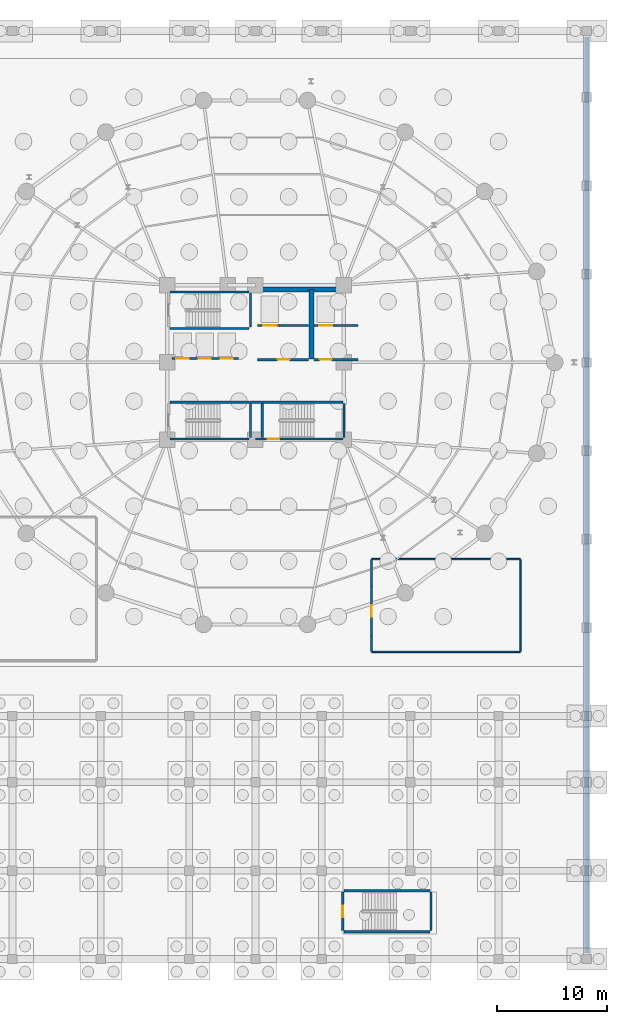
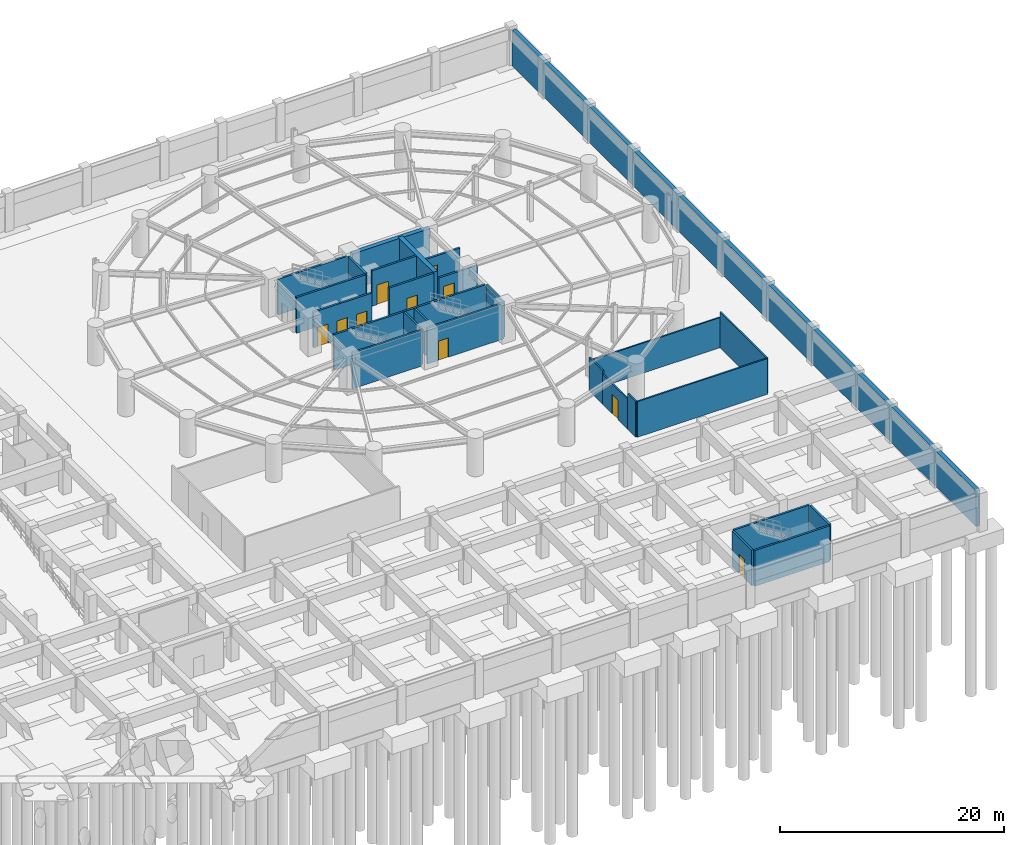
# One storey, part 15 of 23: 28 walls, 10 doors, 10 openings.
"""IFC4 building model written with IfcOpenShell, lengths in metres."""

from ifc_helpers import new_model, si_unit, direction, frame, frame_2d, origin, place, context, subcontext, project, spatial, rectangle, extrude, material, layer, layer_set, type_object, element, fill, save


model = new_model("IFC4")

# Units and contexts
model_context = context("Model", 3, precision=1e-05, world=origin(), true_north=direction((0.0, 1.0)))
body_context = subcontext(model_context, "Body", "Model", "MODEL_VIEW")
ifc_project = project(units=[si_unit("LENGTHUNIT", "METRE"), si_unit("AREAUNIT", "SQUARE_METRE"), si_unit("VOLUMEUNIT", "CUBIC_METRE"), si_unit("PLANEANGLEUNIT", "RADIAN"), si_unit("MASSUNIT", "GRAM", prefix="KILO")], contexts=[model_context])

# Site, building, storey
site_placement = place(None, origin())
site = spatial("IfcSite", under=ifc_project, at=site_placement, CompositionType="ELEMENT")
building_placement = place(site_placement, origin())
building = spatial("IfcBuilding", under=site, at=building_placement, Name="Kelanora Arch Commons", CompositionType="ELEMENT")
storey_placement = place(building_placement, frame((0.0, 0.0, -8.39990234375)))
storey = spatial("IfcBuildingStorey", under=building, at=storey_placement, Name="B02", CompositionType="ELEMENT", Elevation=-8.39990234375)

# Wall
ifc_material_1 = material(Name="Concrete C45/55 waterproofed retaining wall", Category="concrete")
ifc_layer_1 = layer(ifc_material_1, 0.39990234375)
ifc_layer_set_1 = layer_set([ifc_layer_1], Name="Concrete C45/55 waterproofed retaining wall")
wall_type_1 = type_object("IfcWallType", Name="W-BSMT-RET", PredefinedType="USERDEFINED", material=ifc_layer_set_1)
wall_1_placement = place(storey_placement, frame((104.0, 4.550048828125, 0.0), z_axis=(0.0, 0.0, 1.0), x_axis=(0.0, 1.0, 0.0)))
element("IfcWall", 1, at=wall_1_placement, inside=storey, type_object=wall_type_1, Name="Basement Retaining Wall B02-2", ObjectType="RETAININGWALL", PredefinedType="USERDEFINED", context=body_context, shape_type="SweptSolid", body=[
    extrude(rectangle(XDim=82.89990234375, YDim=0.39990234375, at=frame_2d((41.449951171875, 0.0))), origin(), (0.0, 0.0, 1.0), 3.89990234375),
])

# Wall, opening, door
ifc_material_2 = material(Name="Autoclaved aerated concrete blockwork with fire plaster", Category="masonry")
ifc_layer_2 = layer(ifc_material_2, 0.14990234375)
ifc_layer_set_2 = layer_set([ifc_layer_2], Name="Autoclaved aerated concrete blockwork with fire plaster")
wall_type_2 = type_object("IfcWallType", Name="W-COMP-150", PredefinedType="PARTITIONING", material=ifc_layer_set_2)
wall_2_placement = place(storey_placement, frame((84.5, 33.260009765625, 0.0), z_axis=(0.0, 0.0, 1.0), x_axis=(0.0, 1.0, 0.0)))
wall_2 = element("IfcWall", 2, at=wall_2_placement, inside=storey, type_object=wall_type_2, Name="HV Substation and Emergency Generator Hall B02 Entry Partition", PredefinedType="PARTITIONING", context=body_context, shape_type="SweptSolid", body=[
    extrude(rectangle(XDim=4.47998046875, YDim=0.14990234375, at=frame_2d((2.239990234375, 0.0))), origin(), (0.0, 0.0, 1.0), 3.284912109375),
])
opening_1_placement = place(wall_2_placement, frame((1.699951171875, 0.0, 0.0)))
opening_1 = element("IfcOpeningElement", 3, at=opening_1_placement, cuts=wall_2, Name="Opening D-PLT1", PredefinedType="OPENING", context=body_context, shape_type="SweptSolid", body=[
    extrude(rectangle(XDim=1.080078125, YDim=2.10009765625, at=frame_2d((0.5400390625, 1.050048828125))), frame((0.0, 0.0849609375, 0.0), z_axis=(0.0, -1.0, 0.0), x_axis=(1.0, 0.0, 0.0)), (0.0, 0.0, 1.0), 0.169921875),
])
ifc_material_3 = material(Name="Galvanised steel plant and riser fire door", Category="steel")
door_type_1 = type_object("IfcDoorType", Name="D-PLT-110", OperationType="NOTDEFINED", PredefinedType="DOOR", material=ifc_material_3)
door_1_placement = place(opening_1_placement, origin())
door_1 = element("IfcDoor", 4, at=door_1_placement, inside=storey, type_object=door_type_1, Name="HV Substation and Emergency Generator Hall B02 Door", OperationType="SINGLE_SWING_RIGHT", OverallHeight=2.10009765625, OverallWidth=1.080078125, PredefinedType="DOOR", context=body_context, shape_type="SweptSolid", body=[
    extrude(rectangle(XDim=1.080078125, YDim=2.10009765625, at=frame_2d((0.5400390625, 1.050048828125))), frame((0.0, 0.02490234375, 0.0), z_axis=(0.0, -1.0, 0.0), x_axis=(1.0, 0.0, 0.0)), (0.0, 0.0, 1.0), 0.050048828125),
])
fill(opening_1, door_1)

# Walls
wall_3_placement = place(storey_placement, frame((84.5400390625, 31.800048828125, 0.0), z_axis=(0.0, 0.0, 1.0), x_axis=(1.0, 0.0, 0.0)))
element("IfcWall", 5, at=wall_3_placement, inside=storey, type_object=wall_type_2, Name="HV Substation and Emergency Generator Hall B02 Enclosure Partition 1", PredefinedType="PARTITIONING", context=body_context, shape_type="SweptSolid", body=[
    extrude(rectangle(XDim=13.419921875, YDim=0.14990234375, at=frame_2d((6.7099609375, 0.0))), origin(), (0.0, 0.0, 1.0), 3.889892578125),
])
wall_4_placement = place(storey_placement, frame((98.0, 31.840087890625, 0.0), z_axis=(0.0, 0.0, 1.0), x_axis=(0.0, 1.0, 0.0)))
element("IfcWall", 6, at=wall_4_placement, inside=storey, type_object=wall_type_2, Name="HV Substation and Emergency Generator Hall B02 Enclosure Partition 2", PredefinedType="PARTITIONING", context=body_context, shape_type="SweptSolid", body=[
    extrude(rectangle(XDim=8.31982421875, YDim=0.14990234375, at=frame_2d((4.159912109375, 0.0))), origin(), (0.0, 0.0, 1.0), 3.889892578125),
])
wall_5_placement = place(storey_placement, frame((97.9599609375, 40.199951171875, 0.0), z_axis=(0.0, 0.0, 1.0), x_axis=(-1.0, 0.0, 0.0)))
element("IfcWall", 7, at=wall_5_placement, inside=storey, type_object=wall_type_2, Name="HV Substation and Emergency Generator Hall B02 Enclosure Partition 3", PredefinedType="PARTITIONING", context=body_context, shape_type="SweptSolid", body=[
    extrude(rectangle(XDim=13.419921875, YDim=0.14990234375, at=frame_2d((6.7099609375, 0.0))), origin(), (0.0, 0.0, 1.0), 3.284912109375),
])
wall_6_placement = place(storey_placement, frame((84.5, 40.159912109375, 0.0), z_axis=(0.0, 0.0, 1.0), x_axis=(0.0, -1.0, 0.0)))
element("IfcWall", 8, at=wall_6_placement, inside=storey, type_object=wall_type_2, Name="HV Substation and Emergency Generator Hall B02 Enclosure Partition 4", PredefinedType="PARTITIONING", context=body_context, shape_type="SweptSolid", body=[
    extrude(rectangle(XDim=2.419921875, YDim=0.14990234375, at=frame_2d((1.2099609375, 0.0))), origin(), (0.0, 0.0, 1.0), 3.64501953125),
])
wall_7_placement = place(storey_placement, frame((84.5, 33.260009765625, 0.0), z_axis=(0.0, 0.0, 1.0), x_axis=(0.0, -1.0, 0.0)))
element("IfcWall", 9, at=wall_7_placement, inside=storey, type_object=wall_type_2, Name="HV Substation and Emergency Generator Hall B02 Enclosure Partition 4", PredefinedType="PARTITIONING", context=body_context, shape_type="SweptSolid", body=[
    extrude(rectangle(XDim=1.419921875, YDim=0.14990234375, at=frame_2d((0.7099609375, 0.0))), origin(), (0.0, 0.0, 1.0), 3.889892578125),
])
ifc_material_4 = material(Name="Concrete C60/75", Category="concrete")
ifc_layer_3 = layer(ifc_material_4, 0.449951171875)
ifc_layer_set_3 = layer_set([ifc_layer_3], Name="Concrete C60/75")
wall_type_3 = type_object("IfcWallType", Name="W-CORE-450", PredefinedType="SHEAR", material=ifc_layer_set_3)
wall_8_placement = place(storey_placement, frame((74.0, 64.60009765625, 0.0), z_axis=(0.0, 0.0, 1.0), x_axis=(1.0, 0.0, 0.0)))
element("IfcWall", 10, at=wall_8_placement, inside=storey, type_object=wall_type_3, Name="Core Shear Spine B02-CN-E", PredefinedType="SHEAR", context=body_context, shape_type="SweptSolid", body=[
    extrude(rectangle(XDim=8.0, YDim=0.449951171875, at=frame_2d((4.0, 0.0))), origin(), (0.0, 0.0, 1.0), 3.89990234375),
])
wall_9_placement = place(storey_placement, frame((79.050048828125, 58.300048828125, 0.0), z_axis=(0.0, 0.0, 1.0), x_axis=(0.0, 1.0, 0.0)))
element("IfcWall", 11, at=wall_9_placement, inside=storey, type_object=wall_type_3, Name="Core Shear Spine B02-CE-N", PredefinedType="SHEAR", context=body_context, shape_type="SweptSolid", body=[
    extrude(rectangle(XDim=6.300048828125, YDim=0.449951171875, at=frame_2d((3.14990234375, 0.0))), origin(), (0.0, 0.0, 1.0), 3.89990234375),
])

# Wall, opening, door
ifc_material_5 = material(Name="Concrete C40/50", Category="concrete")
ifc_layer_4 = layer(ifc_material_5, 0.199951171875)
ifc_layer_set_4 = layer_set([ifc_layer_4], Name="Concrete C40/50")
wall_type_4 = type_object("IfcWallType", Name="W-FFL-200", PredefinedType="SOLIDWALL", material=ifc_layer_set_4)
wall_10_placement = place(storey_placement, frame((74.199951171875, 61.35009765625, 0.0), z_axis=(0.0, 0.0, 1.0), x_axis=(1.0, 0.0, 0.0)))
wall_10 = element("IfcWall", 12, at=wall_10_placement, inside=storey, type_object=wall_type_4, Name="Firefighting Lift 1 Shaft Front B02", PredefinedType="SOLIDWALL", context=body_context, shape_type="SweptSolid", body=[
    extrude(rectangle(XDim=4.60009765625, YDim=0.199951171875, at=frame_2d((2.300048828125, 0.0))), origin(), (0.0, 0.0, 1.0), 3.889892578125),
])
opening_2_placement = place(wall_10_placement, frame((0.52001953125, 0.0, 0.0)))
opening_2 = element("IfcOpeningElement", 13, at=opening_2_placement, cuts=wall_10, Name="Opening LD-FF", PredefinedType="OPENING", context=body_context, shape_type="SweptSolid", body=[
    extrude(rectangle(XDim=1.199951171875, YDim=2.14990234375, at=frame_2d((0.60009765625, 1.074951171875))), frame((0.0, 0.10986328125, 0.0), z_axis=(0.0, -1.0, 0.0), x_axis=(1.0, 0.0, 0.0)), (0.0, 0.0, 1.0), 0.219970703125),
])
ifc_material_6 = material(Name="Fire-rated firefighters lift sliding landing door")
door_type_2 = type_object("IfcDoorType", Name="D-LIFT-FF", OperationType="NOTDEFINED", PredefinedType="DOOR", material=ifc_material_6)
door_2_placement = place(opening_2_placement, origin())
door_2 = element("IfcDoor", 14, at=door_2_placement, inside=storey, type_object=door_type_2, Name="Firefighting Lift LF-FF1 Landing Door B02", OperationType="DOUBLE_DOOR_SLIDING", OverallHeight=2.14990234375, OverallWidth=1.199951171875, PredefinedType="DOOR", context=body_context, shape_type="SweptSolid", body=[
    extrude(rectangle(XDim=1.199951171875, YDim=2.14990234375, at=frame_2d((0.60009765625, 1.074951171875))), frame((0.0, 0.02490234375, 0.0), z_axis=(0.0, -1.0, 0.0), x_axis=(1.0, 0.0, 0.0)), (0.0, 0.0, 1.0), 0.050048828125),
])
fill(opening_2, door_2)

wall_11_placement = place(storey_placement, frame((79.300048828125, 61.35009765625, 0.0), z_axis=(0.0, 0.0, 1.0), x_axis=(1.0, 0.0, 0.0)))
wall_11 = element("IfcWall", 15, at=wall_11_placement, inside=storey, type_object=wall_type_4, Name="Firefighting Lift 2 Shaft Front B02", PredefinedType="SOLIDWALL", context=body_context, shape_type="SweptSolid", body=[
    extrude(rectangle(XDim=4.0, YDim=0.199951171875, at=frame_2d((2.0, 0.0))), origin(), (0.0, 0.0, 1.0), 3.184814453125),
])
opening_3_placement = place(wall_11_placement, frame((0.449951171875, 0.0, 0.0)))
opening_3 = element("IfcOpeningElement", 16, at=opening_3_placement, cuts=wall_11, Name="Opening LD-FF", PredefinedType="OPENING", context=body_context, shape_type="SweptSolid", body=[
    extrude(rectangle(XDim=1.199951171875, YDim=2.14990234375, at=frame_2d((0.60009765625, 1.074951171875))), frame((0.0, 0.10986328125, 0.0), z_axis=(0.0, -1.0, 0.0), x_axis=(1.0, 0.0, 0.0)), (0.0, 0.0, 1.0), 0.219970703125),
])
door_3_placement = place(opening_3_placement, origin())
door_3 = element("IfcDoor", 17, at=door_3_placement, inside=storey, type_object=door_type_2, Name="Firefighting Lift LF-FF2 Landing Door B02", OperationType="DOUBLE_DOOR_SLIDING", OverallHeight=2.14990234375, OverallWidth=1.199951171875, PredefinedType="DOOR", context=body_context, shape_type="SweptSolid", body=[
    extrude(rectangle(XDim=1.199951171875, YDim=2.14990234375, at=frame_2d((0.60009765625, 1.074951171875))), frame((0.0, 0.02490234375, 0.0), z_axis=(0.0, -1.0, 0.0), x_axis=(1.0, 0.0, 0.0)), (0.0, 0.0, 1.0), 0.050048828125),
])
fill(opening_3, door_3)

wall_12_placement = place(storey_placement, frame((74.199951171875, 58.25, 0.0), z_axis=(0.0, 0.0, 1.0), x_axis=(1.0, 0.0, 0.0)))
wall_12 = element("IfcWall", 18, at=wall_12_placement, inside=storey, type_object=wall_type_4, Name="Firefighting Lobby 1 Enclosure Wall B02", PredefinedType="SOLIDWALL", context=body_context, shape_type="SweptSolid", body=[
    extrude(rectangle(XDim=4.60009765625, YDim=0.199951171875, at=frame_2d((2.300048828125, 0.0))), origin(), (0.0, 0.0, 1.0), 3.889892578125),
])
opening_4_placement = place(wall_12_placement, frame((1.800048828125, 0.0, 0.0)))
opening_4 = element("IfcOpeningElement", 19, at=opening_4_placement, cuts=wall_12, Name="Opening D-FFL1", PredefinedType="OPENING", context=body_context, shape_type="SweptSolid", body=[
    extrude(rectangle(XDim=1.10009765625, YDim=2.10009765625, at=frame_2d((0.550048828125, 1.050048828125))), frame((0.0, 0.10986328125, 0.0), z_axis=(0.0, -1.0, 0.0), x_axis=(1.0, 0.0, 0.0)), (0.0, 0.0, 1.0), 0.219970703125),
])
ifc_material_7 = material(Name="Smoke-sealed firefighting lobby fire door")
door_type_3 = type_object("IfcDoorType", Name="D-FFL-110", OperationType="NOTDEFINED", PredefinedType="DOOR", material=ifc_material_7)
door_4_placement = place(opening_4_placement, frame((1.10009765625, 0.0, 0.0), z_axis=(0.0, 0.0, 1.0), x_axis=(-1.0, 0.0, 0.0)))
door_4 = element("IfcDoor", 20, at=door_4_placement, inside=storey, type_object=door_type_3, Name="Firefighting Lobby 1 Door B02", OperationType="SINGLE_SWING_LEFT", OverallHeight=2.10009765625, OverallWidth=1.10009765625, PredefinedType="DOOR", context=body_context, shape_type="SweptSolid", body=[
    extrude(rectangle(XDim=1.10009765625, YDim=2.10009765625, at=frame_2d((0.550048828125, 1.050048828125))), frame((0.0, 0.02490234375, 0.0), z_axis=(0.0, -1.0, 0.0), x_axis=(1.0, 0.0, 0.0)), (0.0, 0.0, 1.0), 0.050048828125),
])
fill(opening_4, door_4)

wall_13_placement = place(storey_placement, frame((79.300048828125, 58.25, 0.0), z_axis=(0.0, 0.0, 1.0), x_axis=(1.0, 0.0, 0.0)))
wall_13 = element("IfcWall", 21, at=wall_13_placement, inside=storey, type_object=wall_type_4, Name="Firefighting Lobby 2 Enclosure Wall B02", PredefinedType="SOLIDWALL", context=body_context, shape_type="SweptSolid", body=[
    extrude(rectangle(XDim=4.0, YDim=0.199951171875, at=frame_2d((2.0, 0.0))), origin(), (0.0, 0.0, 1.0), 3.184814453125),
])
opening_5_placement = place(wall_13_placement, frame((0.5, 0.0, 0.0)))
opening_5 = element("IfcOpeningElement", 22, at=opening_5_placement, cuts=wall_13, Name="Opening D-FFL1", PredefinedType="OPENING", context=body_context, shape_type="SweptSolid", body=[
    extrude(rectangle(XDim=1.10009765625, YDim=2.10009765625, at=frame_2d((0.550048828125, 1.050048828125))), frame((0.0, 0.10986328125, 0.0), z_axis=(0.0, -1.0, 0.0), x_axis=(1.0, 0.0, 0.0)), (0.0, 0.0, 1.0), 0.219970703125),
])
door_5_placement = place(opening_5_placement, frame((1.10009765625, 0.0, 0.0), z_axis=(0.0, 0.0, 1.0), x_axis=(-1.0, 0.0, 0.0)))
door_5 = element("IfcDoor", 23, at=door_5_placement, inside=storey, type_object=door_type_3, Name="Firefighting Lobby 2 Door B02", OperationType="SINGLE_SWING_RIGHT", OverallHeight=2.10009765625, OverallWidth=1.10009765625, PredefinedType="DOOR", context=body_context, shape_type="SweptSolid", body=[
    extrude(rectangle(XDim=1.10009765625, YDim=2.10009765625, at=frame_2d((0.550048828125, 1.050048828125))), frame((0.0, 0.02490234375, 0.0), z_axis=(0.0, -1.0, 0.0), x_axis=(1.0, 0.0, 0.0)), (0.0, 0.0, 1.0), 0.050048828125),
])
fill(opening_5, door_5)

# Wall, openings, doors
wall_14_placement = place(storey_placement, frame((66.449951171875, 58.35009765625, 0.0), z_axis=(0.0, 0.0, 1.0), x_axis=(1.0, 0.0, 0.0)))
wall_14 = element("IfcWall", 24, at=wall_14_placement, inside=storey, type_object=wall_type_4, Name="Low-Rise Passenger Lift Shaft Front B02", PredefinedType="SOLIDWALL", context=body_context, shape_type="SweptSolid", body=[
    extrude(rectangle(XDim=6.0, YDim=0.199951171875, at=frame_2d((3.0, 0.0))), origin(), (0.0, 0.0, 1.0), 3.889892578125),
])
opening_6_placement = place(wall_14_placement, frame((0.39990234375, 0.0, 0.0)))
opening_6 = element("IfcOpeningElement", 25, at=opening_6_placement, cuts=wall_14, Name="Opening LD-01", PredefinedType="OPENING", context=body_context, shape_type="SweptSolid", body=[
    extrude(rectangle(XDim=1.10009765625, YDim=2.10009765625, at=frame_2d((0.550048828125, 1.050048828125))), frame((0.0, 0.10986328125, 0.0), z_axis=(0.0, -1.0, 0.0), x_axis=(1.0, 0.0, 0.0)), (0.0, 0.0, 1.0), 0.219970703125),
])
opening_7_placement = place(wall_14_placement, frame((2.39990234375, 0.0, 0.0)))
opening_7 = element("IfcOpeningElement", 26, at=opening_7_placement, cuts=wall_14, Name="Opening LD-01", PredefinedType="OPENING", context=body_context, shape_type="SweptSolid", body=[
    extrude(rectangle(XDim=1.10009765625, YDim=2.10009765625, at=frame_2d((0.550048828125, 1.050048828125))), frame((0.0, 0.10986328125, 0.0), z_axis=(0.0, -1.0, 0.0), x_axis=(1.0, 0.0, 0.0)), (0.0, 0.0, 1.0), 0.219970703125),
])
opening_8_placement = place(wall_14_placement, frame((4.39990234375, 0.0, 0.0)))
opening_8 = element("IfcOpeningElement", 27, at=opening_8_placement, cuts=wall_14, Name="Opening LD-01", PredefinedType="OPENING", context=body_context, shape_type="SweptSolid", body=[
    extrude(rectangle(XDim=1.10009765625, YDim=2.10009765625, at=frame_2d((0.550048828125, 1.050048828125))), frame((0.0, 0.10986328125, 0.0), z_axis=(0.0, -1.0, 0.0), x_axis=(1.0, 0.0, 0.0)), (0.0, 0.0, 1.0), 0.219970703125),
])
ifc_material_8 = material(Name="Stainless steel passenger lift sliding landing door", Category="steel")
door_type_4 = type_object("IfcDoorType", Name="D-LIFT-110", OperationType="NOTDEFINED", PredefinedType="DOOR", material=ifc_material_8)
door_6_placement = place(opening_6_placement, origin())
door_6 = element("IfcDoor", 28, at=door_6_placement, inside=storey, type_object=door_type_4, Name="Passenger Lift LF-P1 Landing Door B02", OperationType="DOUBLE_DOOR_SLIDING", OverallHeight=2.10009765625, OverallWidth=1.10009765625, PredefinedType="DOOR", context=body_context, shape_type="SweptSolid", body=[
    extrude(rectangle(XDim=1.10009765625, YDim=2.10009765625, at=frame_2d((0.550048828125, 1.050048828125))), frame((0.0, 0.02490234375, 0.0), z_axis=(0.0, -1.0, 0.0), x_axis=(1.0, 0.0, 0.0)), (0.0, 0.0, 1.0), 0.050048828125),
])
fill(opening_6, door_6)
door_7_placement = place(opening_7_placement, origin())
door_7 = element("IfcDoor", 29, at=door_7_placement, inside=storey, type_object=door_type_4, Name="Passenger Lift LF-P2 Landing Door B02", OperationType="DOUBLE_DOOR_SLIDING", OverallHeight=2.10009765625, OverallWidth=1.10009765625, PredefinedType="DOOR", context=body_context, shape_type="SweptSolid", body=[
    extrude(rectangle(XDim=1.10009765625, YDim=2.10009765625, at=frame_2d((0.550048828125, 1.050048828125))), frame((0.0, 0.02490234375, 0.0), z_axis=(0.0, -1.0, 0.0), x_axis=(1.0, 0.0, 0.0)), (0.0, 0.0, 1.0), 0.050048828125),
])
fill(opening_7, door_7)
door_8_placement = place(opening_8_placement, origin())
door_8 = element("IfcDoor", 30, at=door_8_placement, inside=storey, type_object=door_type_4, Name="Passenger Lift LF-P3 Landing Door B02", OperationType="DOUBLE_DOOR_SLIDING", OverallHeight=2.10009765625, OverallWidth=1.10009765625, PredefinedType="DOOR", context=body_context, shape_type="SweptSolid", body=[
    extrude(rectangle(XDim=1.10009765625, YDim=2.10009765625, at=frame_2d((0.550048828125, 1.050048828125))), frame((0.0, 0.02490234375, 0.0), z_axis=(0.0, -1.0, 0.0), x_axis=(1.0, 0.0, 0.0)), (0.0, 0.0, 1.0), 0.050048828125),
])
fill(opening_8, door_8)

# Walls
ifc_layer_5 = layer(ifc_material_5, 0.199951171875)
ifc_layer_set_5 = layer_set([ifc_layer_5], Name="Concrete C40/50")
wall_type_5 = type_object("IfcWallType", Name="W-STAIR-200", PredefinedType="SHEAR", material=ifc_layer_set_5)
wall_15_placement = place(storey_placement, frame((66.260009765625, 61.080078125, 0.0), z_axis=(0.0, 0.0, 1.0), x_axis=(1.0, 0.0, 0.0)))
element("IfcWall", 31, at=wall_15_placement, inside=storey, type_object=wall_type_5, Name="Stair ST-T1 Shaft Wall S B02", PredefinedType="SHEAR", context=body_context, shape_type="SweptSolid", body=[
    extrude(rectangle(XDim=7.159912109375, YDim=0.199951171875, at=frame_2d((3.580078125, 0.0))), origin(), (0.0, 0.0, 1.0), 3.89990234375),
])
wall_16_placement = place(storey_placement, frame((73.5400390625, 61.199951171875, 0.0), z_axis=(0.0, 0.0, 1.0), x_axis=(0.0, 1.0, 0.0)))
element("IfcWall", 32, at=wall_16_placement, inside=storey, type_object=wall_type_5, Name="Stair ST-T1 Shaft Wall E B02", PredefinedType="SHEAR", context=body_context, shape_type="SweptSolid", body=[
    extrude(rectangle(XDim=3.070068359375, YDim=0.199951171875, at=frame_2d((1.53515625, 0.0))), origin(), (0.0, 0.0, 1.0), 3.89990234375),
])
wall_17_placement = place(storey_placement, frame((73.419921875, 64.389892578125, 0.0), z_axis=(0.0, 0.0, 1.0), x_axis=(-1.0, 0.0, 0.0)))
element("IfcWall", 33, at=wall_17_placement, inside=storey, type_object=wall_type_5, Name="Stair ST-T1 Shaft Wall N B02", PredefinedType="SHEAR", context=body_context, shape_type="SweptSolid", body=[
    extrude(rectangle(XDim=7.159912109375, YDim=0.199951171875, at=frame_2d((3.580078125, 0.0))), origin(), (0.0, 0.0, 1.0), 3.89990234375),
])

# Wall, opening, door
wall_18_placement = place(storey_placement, frame((74.0, 51.080078125, 0.0), z_axis=(0.0, 0.0, 1.0), x_axis=(1.0, 0.0, 0.0)))
wall_18 = element("IfcWall", 34, at=wall_18_placement, inside=storey, type_object=wall_type_5, Name="Stair ST-T2 Shaft Wall S B02", PredefinedType="SHEAR", context=body_context, shape_type="SweptSolid", body=[
    extrude(rectangle(XDim=7.89990234375, YDim=0.199951171875, at=frame_2d((3.949951171875, 0.0))), origin(), (0.0, 0.0, 1.0), 3.89990234375),
])
opening_9_placement = place(wall_18_placement, frame((1.1201171875, 0.0, 0.0)))
opening_9 = element("IfcOpeningElement", 35, at=opening_9_placement, cuts=wall_18, Name="Opening D-ST1", PredefinedType="OPENING", context=body_context, shape_type="SweptSolid", body=[
    extrude(rectangle(XDim=1.050048828125, YDim=2.10009765625, at=frame_2d((0.52490234375, 1.050048828125))), frame((0.0, 0.10986328125, 0.0), z_axis=(0.0, -1.0, 0.0), x_axis=(1.0, 0.0, 0.0)), (0.0, 0.0, 1.0), 0.219970703125),
])
ifc_material_9 = material(Name="Steel fire-rated stairwell escape door", Category="steel")
door_type_5 = type_object("IfcDoorType", Name="D-STAIR-110", OperationType="NOTDEFINED", PredefinedType="DOOR", material=ifc_material_9)
door_9_placement = place(opening_9_placement, origin())
door_9 = element("IfcDoor", 36, at=door_9_placement, inside=storey, type_object=door_type_5, Name="Stair ST-T2 Escape Door B02", OperationType="SINGLE_SWING_LEFT", OverallHeight=2.10009765625, OverallWidth=1.050048828125, PredefinedType="DOOR", context=body_context, shape_type="SweptSolid", body=[
    extrude(rectangle(XDim=1.050048828125, YDim=2.10009765625, at=frame_2d((0.52490234375, 1.050048828125))), frame((0.0, 0.02490234375, 0.0), z_axis=(0.0, -1.0, 0.0), x_axis=(1.0, 0.0, 0.0)), (0.0, 0.0, 1.0), 0.050048828125),
])
fill(opening_9, door_9)

# Walls
wall_19_placement = place(storey_placement, frame((82.02001953125, 51.199951171875, 0.0), z_axis=(0.0, 0.0, 1.0), x_axis=(0.0, 1.0, 0.0)))
element("IfcWall", 37, at=wall_19_placement, inside=storey, type_object=wall_type_5, Name="Stair ST-T2 Shaft Wall E B02", PredefinedType="SHEAR", context=body_context, shape_type="SweptSolid", body=[
    extrude(rectangle(XDim=3.070068359375, YDim=0.199951171875, at=frame_2d((1.53515625, 0.0))), origin(), (0.0, 0.0, 1.0), 3.89990234375),
])
wall_20_placement = place(storey_placement, frame((81.89990234375, 54.389892578125, 0.0), z_axis=(0.0, 0.0, 1.0), x_axis=(-1.0, 0.0, 0.0)))
element("IfcWall", 38, at=wall_20_placement, inside=storey, type_object=wall_type_5, Name="Stair ST-T2 Shaft Wall N B02", PredefinedType="SHEAR", context=body_context, shape_type="SweptSolid", body=[
    extrude(rectangle(XDim=8.4599609375, YDim=0.199951171875, at=frame_2d((4.22998046875, 0.0))), origin(), (0.0, 0.0, 1.0), 3.89990234375),
])
wall_21_placement = place(storey_placement, frame((74.6201171875, 54.27001953125, 0.0), z_axis=(0.0, 0.0, 1.0), x_axis=(0.0, -1.0, 0.0)))
element("IfcWall", 39, at=wall_21_placement, inside=storey, type_object=wall_type_5, Name="Stair ST-T2 Shaft Wall W B02", PredefinedType="SHEAR", context=body_context, shape_type="SweptSolid", body=[
    extrude(rectangle(XDim=3.070068359375, YDim=0.199951171875, at=frame_2d((1.53515625, 0.0))), origin(), (0.0, 0.0, 1.0), 3.89990234375),
])
wall_22_placement = place(storey_placement, frame((66.260009765625, 51.080078125, 0.0), z_axis=(0.0, 0.0, 1.0), x_axis=(1.0, 0.0, 0.0)))
element("IfcWall", 40, at=wall_22_placement, inside=storey, type_object=wall_type_5, Name="Stair ST-T3 Shaft Wall S B02", PredefinedType="SHEAR", context=body_context, shape_type="SweptSolid", body=[
    extrude(rectangle(XDim=7.159912109375, YDim=0.199951171875, at=frame_2d((3.580078125, 0.0))), origin(), (0.0, 0.0, 1.0), 3.89990234375),
])
wall_23_placement = place(storey_placement, frame((73.5400390625, 51.199951171875, 0.0), z_axis=(0.0, 0.0, 1.0), x_axis=(0.0, 1.0, 0.0)))
element("IfcWall", 41, at=wall_23_placement, inside=storey, type_object=wall_type_5, Name="Stair ST-T3 Shaft Wall E B02", PredefinedType="SHEAR", context=body_context, shape_type="SweptSolid", body=[
    extrude(rectangle(XDim=3.070068359375, YDim=0.199951171875, at=frame_2d((1.53515625, 0.0))), origin(), (0.0, 0.0, 1.0), 3.89990234375),
])
wall_24_placement = place(storey_placement, frame((73.419921875, 54.389892578125, 0.0), z_axis=(0.0, 0.0, 1.0), x_axis=(-1.0, 0.0, 0.0)))
element("IfcWall", 42, at=wall_24_placement, inside=storey, type_object=wall_type_5, Name="Stair ST-T3 Shaft Wall N B02", PredefinedType="SHEAR", context=body_context, shape_type="SweptSolid", body=[
    extrude(rectangle(XDim=7.159912109375, YDim=0.199951171875, at=frame_2d((3.580078125, 0.0))), origin(), (0.0, 0.0, 1.0), 3.89990234375),
])
wall_25_placement = place(storey_placement, frame((82.02001953125, 6.4599609375, 0.0), z_axis=(0.0, 0.0, 1.0), x_axis=(1.0, 0.0, 0.0)))
element("IfcWall", 43, at=wall_25_placement, inside=storey, type_object=wall_type_5, Name="Stair ST-M2 Shaft Wall S B02", PredefinedType="SHEAR", context=body_context, shape_type="SweptSolid", body=[
    extrude(rectangle(XDim=7.760009765625, YDim=0.199951171875, at=frame_2d((3.8798828125, 0.0))), origin(), (0.0, 0.0, 1.0), 3.89990234375),
])
wall_26_placement = place(storey_placement, frame((89.89990234375, 6.580078125, 0.0), z_axis=(0.0, 0.0, 1.0), x_axis=(0.0, 1.0, 0.0)))
element("IfcWall", 44, at=wall_26_placement, inside=storey, type_object=wall_type_5, Name="Stair ST-M2 Shaft Wall E B02", PredefinedType="SHEAR", context=body_context, shape_type="SweptSolid", body=[
    extrude(rectangle(XDim=3.469970703125, YDim=0.199951171875, at=frame_2d((1.73486328125, 0.0))), origin(), (0.0, 0.0, 1.0), 3.89990234375),
])
wall_27_placement = place(storey_placement, frame((89.780029296875, 10.169921875, 0.0), z_axis=(0.0, 0.0, 1.0), x_axis=(-1.0, 0.0, 0.0)))
element("IfcWall", 45, at=wall_27_placement, inside=storey, type_object=wall_type_5, Name="Stair ST-M2 Shaft Wall N B02", PredefinedType="SHEAR", context=body_context, shape_type="SweptSolid", body=[
    extrude(rectangle(XDim=7.760009765625, YDim=0.199951171875, at=frame_2d((3.8798828125, 0.0))), origin(), (0.0, 0.0, 1.0), 3.89990234375),
])

# Wall, opening, door
wall_28_placement = place(storey_placement, frame((81.89990234375, 10.050048828125, 0.0), z_axis=(0.0, 0.0, 1.0), x_axis=(0.0, -1.0, 0.0)))
wall_28 = element("IfcWall", 46, at=wall_28_placement, inside=storey, type_object=wall_type_5, Name="Stair ST-M2 Shaft Wall W B02", PredefinedType="SHEAR", context=body_context, shape_type="SweptSolid", body=[
    extrude(rectangle(XDim=3.469970703125, YDim=0.199951171875, at=frame_2d((1.73486328125, 0.0))), origin(), (0.0, 0.0, 1.0), 3.89990234375),
])
opening_10_placement = place(wall_28_placement, frame((1.2099609375, 0.0, 0.0)))
opening_10 = element("IfcOpeningElement", 47, at=opening_10_placement, cuts=wall_28, Name="Opening D-ST1", PredefinedType="OPENING", context=body_context, shape_type="SweptSolid", body=[
    extrude(rectangle(XDim=1.050048828125, YDim=2.10009765625, at=frame_2d((0.52490234375, 1.050048828125))), frame((0.0, 0.10986328125, 0.0), z_axis=(0.0, -1.0, 0.0), x_axis=(1.0, 0.0, 0.0)), (0.0, 0.0, 1.0), 0.219970703125),
])
door_10_placement = place(opening_10_placement, origin())
door_10 = element("IfcDoor", 48, at=door_10_placement, inside=storey, type_object=door_type_5, Name="Stair ST-M2 Escape Door B02", OperationType="SINGLE_SWING_LEFT", OverallHeight=2.10009765625, OverallWidth=1.050048828125, PredefinedType="DOOR", context=body_context, shape_type="SweptSolid", body=[
    extrude(rectangle(XDim=1.050048828125, YDim=2.10009765625, at=frame_2d((0.52490234375, 1.050048828125))), frame((0.0, 0.02490234375, 0.0), z_axis=(0.0, -1.0, 0.0), x_axis=(1.0, 0.0, 0.0)), (0.0, 0.0, 1.0), 0.050048828125),
])
fill(opening_10, door_10)

save(model, "model.ifc")
